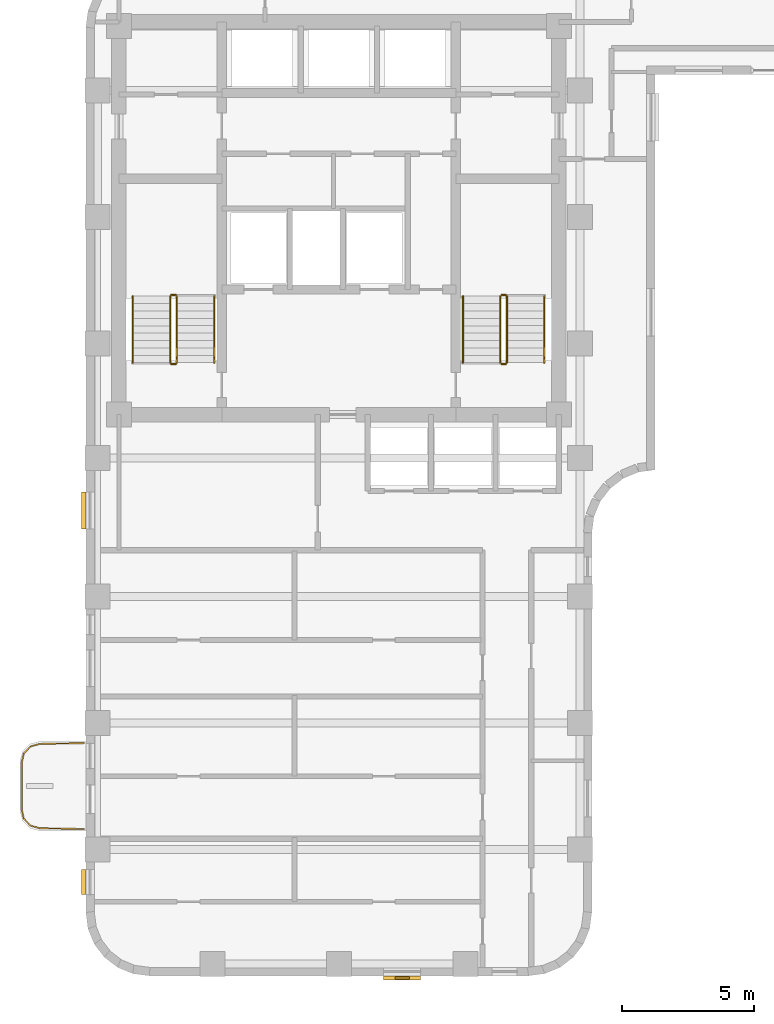
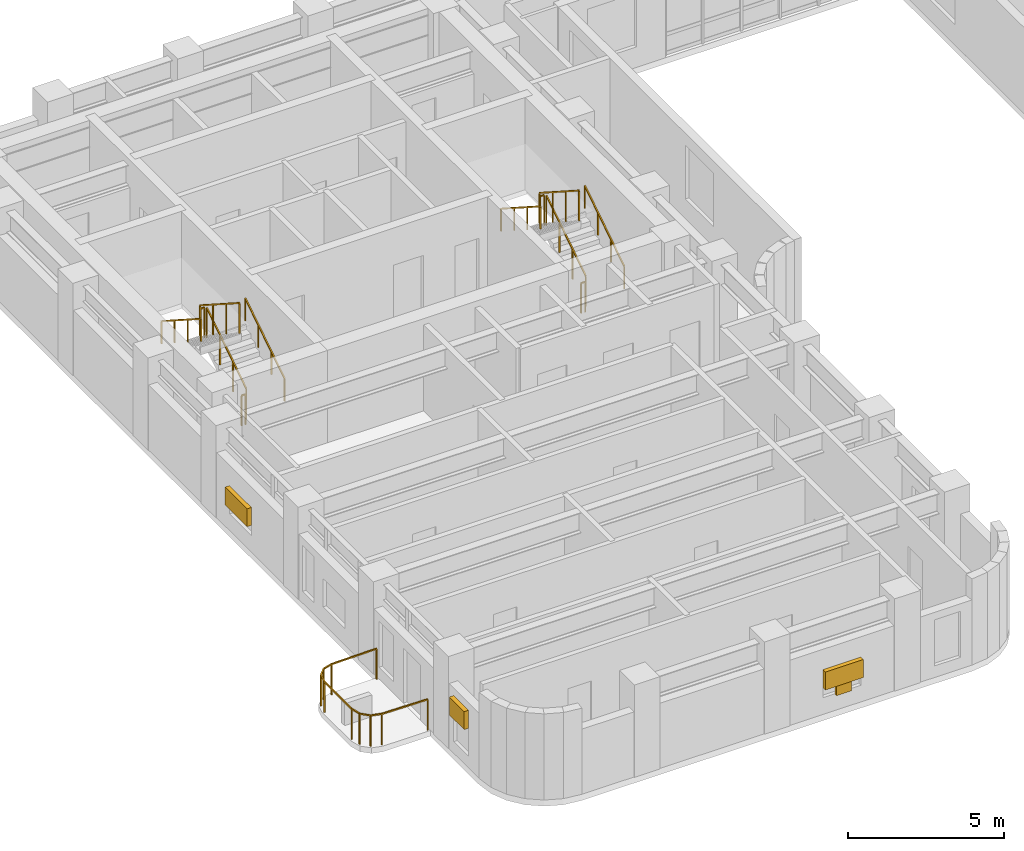
# One storey, part 9 of 11: 13 railings, 4 shading devices.
"""IFC4 building model written with IfcOpenShell, lengths in metres."""

from ifc_helpers import new_model, si_unit, direction, frame, origin, origin_2d, place, context, subcontext, project, spatial, rectangle, extrude, material, type_object, element, save


model = new_model("IFC4")

# Units and contexts
model_context = context("Model", 3, precision=1e-05, world=origin(), true_north=direction((0.0, 1.0)))
body_context = subcontext(model_context, "Body", "Model", "MODEL_VIEW")
ifc_project = project(units=[si_unit("LENGTHUNIT", "METRE"), si_unit("AREAUNIT", "SQUARE_METRE"), si_unit("VOLUMEUNIT", "CUBIC_METRE"), si_unit("PLANEANGLEUNIT", "RADIAN"), si_unit("MASSUNIT", "GRAM", prefix="KILO")], contexts=[model_context])

# Site, building, storey
site_placement = place(None, origin())
site = spatial("IfcSite", under=ifc_project, at=site_placement, CompositionType="ELEMENT")
building_placement = place(site_placement, origin())
building = spatial("IfcBuilding", under=site, at=building_placement, Name="Orvandelia Arch Residences", CompositionType="ELEMENT")
storey_placement = place(building_placement, frame((0.0, 0.0, 161.199951171875)))
storey = spatial("IfcBuildingStorey", under=building, at=storey_placement, Name="L42", CompositionType="ELEMENT", Elevation=161.199951171875)

# Railings
ifc_material_1 = material(Name="Marine-Grade Stainless Steel 316", Category="steel")
railing_type_1 = type_object("IfcRailingType", Name="GRD-BAL-1200", PredefinedType="BALUSTRADE", material=ifc_material_1)
railing_1_placement = place(storey_placement, frame((4.728271484375, 18.430419921875, 0.0)))
element("IfcRailing", 1, at=railing_1_placement, inside=storey, type_object=railing_type_1, Name="Safety Balustrade Guard GRD-L42-BAL-L42-W1-1", PredefinedType="BALUSTRADE", context=body_context, shape_type="SweptSolid", body=[
    extrude(rectangle(XDim=0.048095703125, YDim=0.048095703125, at=origin_2d()), frame((0.0, 0.0, 1.19580078125), z_axis=(-0.999834751713, -0.018178813668, 0.0), x_axis=(0.018178813668, -0.999834751713, 0.0)), (0.0, 0.0, 1.0), 1.6787109375),
    extrude(rectangle(XDim=0.048095703125, YDim=0.048095703125, at=origin_2d()), frame((-1.678466796875, -0.030517578125, 1.19580078125), z_axis=(-0.96348920644, -0.267747173792, 0.0), x_axis=(0.267747173792, -0.96348920644, 0.0)), (0.0, 0.0, 1.0), 0.36572265625),
    extrude(rectangle(XDim=0.048095703125, YDim=0.048095703125, at=origin_2d()), frame((-2.03076171875, -0.12841796875, 1.19580078125), z_axis=(-0.688627404251, -0.725115368831, 0.0), x_axis=(0.725115368831, -0.688627404251, 0.0)), (0.0, 0.0, 1.0), 0.367919921875),
    extrude(rectangle(XDim=0.048095703125, YDim=0.048095703125, at=origin_2d()), frame((-2.2841796875, -0.395263671875, 1.19580078125), z_axis=(-0.220602419982, -0.975363815352, 0.0), x_axis=(0.975363815352, -0.220602419982, 0.0)), (0.0, 0.0, 1.0), 0.373046875),
    extrude(rectangle(XDim=0.048095703125, YDim=0.048095703125, at=origin_2d()), frame((-2.366455078125, -0.759033203125, 1.19580078125), z_axis=(0.0, -1.0, 0.0), x_axis=(1.0, 0.0, 0.0)), (0.0, 0.0, 1.0), 1.74267578125),
    extrude(rectangle(XDim=0.048095703125, YDim=0.048095703125, at=origin_2d()), frame((-2.366455078125, -2.501708984375, 1.19580078125), z_axis=(0.220602419982, -0.975363815352, 0.0), x_axis=(0.975363815352, 0.220602419982, 0.0)), (0.0, 0.0, 1.0), 0.373046875),
    extrude(rectangle(XDim=0.048095703125, YDim=0.048095703125, at=origin_2d()), frame((-2.2841796875, -2.865478515625, 1.19580078125), z_axis=(0.688296224633, -0.725429739642, 0.0), x_axis=(0.725429739642, 0.688296224633, 0.0)), (0.0, 0.0, 1.0), 0.3681640625),
    extrude(rectangle(XDim=0.048095703125, YDim=0.048095703125, at=origin_2d()), frame((-2.03076171875, -3.132568359375, 1.19580078125), z_axis=(0.96348920644, -0.267747173792, 0.0), x_axis=(0.267747173792, 0.96348920644, 0.0)), (0.0, 0.0, 1.0), 0.36572265625),
    extrude(rectangle(XDim=0.048095703125, YDim=0.048095703125, at=origin_2d()), frame((-1.678466796875, -3.23046875, 1.19580078125), z_axis=(0.999837384468, -0.018033430643, 0.0), x_axis=(0.018033430643, 0.999837384468, 0.0)), (0.0, 0.0, 1.0), 1.6787109375),
    extrude(rectangle(XDim=0.0419921875, YDim=0.0419921875, at=origin_2d()), origin(), (0.0, 0.0, 1.0), 1.171875),
    extrude(rectangle(XDim=0.0419921875, YDim=0.0419921875, at=origin_2d()), frame((-1.678466796875, -0.030517578125, 0.0)), (0.0, 0.0, 1.0), 1.171875),
    extrude(rectangle(XDim=0.0419921875, YDim=0.0419921875, at=origin_2d()), frame((-2.03076171875, -0.12841796875, 0.0)), (0.0, 0.0, 1.0), 1.171875),
    extrude(rectangle(XDim=0.0419921875, YDim=0.0419921875, at=origin_2d()), frame((-2.2841796875, -0.395263671875, 0.0)), (0.0, 0.0, 1.0), 1.171875),
    extrude(rectangle(XDim=0.0419921875, YDim=0.0419921875, at=origin_2d()), frame((-2.366455078125, -0.759033203125, 0.0)), (0.0, 0.0, 1.0), 1.171875),
    extrude(rectangle(XDim=0.0419921875, YDim=0.0419921875, at=origin_2d()), frame((-2.366455078125, -2.501708984375, 0.0)), (0.0, 0.0, 1.0), 1.171875),
    extrude(rectangle(XDim=0.0419921875, YDim=0.0419921875, at=origin_2d()), frame((-2.2841796875, -2.865478515625, 0.0)), (0.0, 0.0, 1.0), 1.171875),
    extrude(rectangle(XDim=0.0419921875, YDim=0.0419921875, at=origin_2d()), frame((-2.03076171875, -3.132568359375, 0.0)), (0.0, 0.0, 1.0), 1.171875),
    extrude(rectangle(XDim=0.0419921875, YDim=0.0419921875, at=origin_2d()), frame((-1.678466796875, -3.23046875, 0.0)), (0.0, 0.0, 1.0), 1.171875),
    extrude(rectangle(XDim=0.0419921875, YDim=0.0419921875, at=origin_2d()), frame((0.0, -3.2607421875, 0.0)), (0.0, 0.0, 1.0), 1.171875),
])
ifc_material_2 = material(Name="Brushed Stainless Steel 304", Category="steel")
railing_type_2 = type_object("IfcRailingType", Name="RL-STAIR-GD1120", PredefinedType="GUARDRAIL", material=ifc_material_2)
railing_2_placement = place(storey_placement, frame((8.25, 32.8701171875, 0.179931640625)))
element("IfcRailing", 2, at=railing_2_placement, inside=storey, type_object=railing_type_2, Name="L42 ST-1 stair guard 1", PredefinedType="GUARDRAIL", context=body_context, shape_type="SweptSolid", body=[
    extrude(rectangle(XDim=0.048095703125, YDim=0.048095703125, at=origin_2d()), frame((0.0, 0.0, 1.17578125), z_axis=(0.0, 0.841138753965, 0.540819375188), x_axis=(-1.0, 0.0, 0.0)), (0.0, 0.0, 1.0), 2.99560546875),
    extrude(rectangle(XDim=0.0419921875, YDim=0.0419921875, at=origin_2d()), origin(), (0.0, 0.0, 1.0), 1.15185546875),
    extrude(rectangle(XDim=0.0419921875, YDim=0.0419921875, at=origin_2d()), frame((0.0, 0.83984375, 0.5400390625)), (0.0, 0.0, 1.0), 1.15185546875),
    extrude(rectangle(XDim=0.0419921875, YDim=0.0419921875, at=origin_2d()), frame((0.0, 1.679931640625, 1.080078125)), (0.0, 0.0, 1.0), 1.15185546875),
    extrude(rectangle(XDim=0.0419921875, YDim=0.0419921875, at=origin_2d()), frame((0.0, 2.519775390625, 1.6201171875)), (0.0, 0.0, 1.0), 1.15185546875),
])
railing_3_placement = place(storey_placement, frame((8.199951171875, 35.43994140625, 1.800048828125)))
element("IfcRailing", 3, at=railing_3_placement, inside=storey, type_object=railing_type_2, Name="L42 ST-1 stair guard 2", PredefinedType="GUARDRAIL", context=body_context, shape_type="SweptSolid", body=[
    extrude(rectangle(XDim=0.048095703125, YDim=0.048095703125, at=origin_2d()), frame((0.0, 0.0, 1.17578125), z_axis=(-1.0, 0.0, 0.0), x_axis=(0.0, -1.0, 0.0)), (0.0, 0.0, 1.0), 0.14990234375),
    extrude(rectangle(XDim=0.0419921875, YDim=0.0419921875, at=origin_2d()), origin(), (0.0, 0.0, 1.0), 1.15185546875),
    extrude(rectangle(XDim=0.0419921875, YDim=0.0419921875, at=origin_2d()), frame((-0.14990234375, 0.0, 0.0)), (0.0, 0.0, 1.0), 1.15185546875),
])
railing_4_placement = place(storey_placement, frame((8.0, 35.389892578125, 1.97998046875)))
element("IfcRailing", 4, at=railing_4_placement, inside=storey, type_object=railing_type_2, Name="L42 ST-1 stair guard 3", PredefinedType="GUARDRAIL", context=body_context, shape_type="SweptSolid", body=[
    extrude(rectangle(XDim=0.048095703125, YDim=0.048095703125, at=origin_2d()), frame((0.0, 0.0, 1.17578125), z_axis=(0.0, -0.841138753965, 0.540819375188), x_axis=(1.0, 0.0, 0.0)), (0.0, 0.0, 1.0), 2.99560546875),
    extrude(rectangle(XDim=0.0419921875, YDim=0.0419921875, at=origin_2d()), origin(), (0.0, 0.0, 1.0), 1.15185546875),
    extrude(rectangle(XDim=0.0419921875, YDim=0.0419921875, at=origin_2d()), frame((0.0, -0.83984375, 0.5400390625)), (0.0, 0.0, 1.0), 1.15185546875),
    extrude(rectangle(XDim=0.0419921875, YDim=0.0419921875, at=origin_2d()), frame((0.0, -1.679931640625, 1.080078125)), (0.0, 0.0, 1.0), 1.15185546875),
    extrude(rectangle(XDim=0.0419921875, YDim=0.0419921875, at=origin_2d()), frame((0.0, -2.519775390625, 1.6201171875)), (0.0, 0.0, 1.0), 1.15185546875),
])
railing_5_placement = place(storey_placement, frame((8.199951171875, 32.820068359375, 0.0)))
element("IfcRailing", 5, at=railing_5_placement, inside=storey, type_object=railing_type_2, Name="L42 ST-1 stair guard 4", PredefinedType="GUARDRAIL", context=body_context, shape_type="SweptSolid", body=[
    extrude(rectangle(XDim=0.048095703125, YDim=0.048095703125, at=origin_2d()), frame((0.0, 0.0, 1.17578125), z_axis=(-1.0, 0.0, 0.0), x_axis=(0.0, -1.0, 0.0)), (0.0, 0.0, 1.0), 0.14990234375),
    extrude(rectangle(XDim=0.0419921875, YDim=0.0419921875, at=origin_2d()), origin(), (0.0, 0.0, 1.0), 1.15185546875),
    extrude(rectangle(XDim=0.0419921875, YDim=0.0419921875, at=origin_2d()), frame((-0.14990234375, 0.0, 0.0)), (0.0, 0.0, 1.0), 1.15185546875),
])
railing_6_placement = place(storey_placement, frame((20.780029296875, 32.8701171875, 0.179931640625)))
element("IfcRailing", 6, at=railing_6_placement, inside=storey, type_object=railing_type_2, Name="L42 ST-2 stair guard 1", PredefinedType="GUARDRAIL", context=body_context, shape_type="SweptSolid", body=[
    extrude(rectangle(XDim=0.048095703125, YDim=0.048095703125, at=origin_2d()), frame((0.0, 0.0, 1.17578125), z_axis=(0.0, 0.841138753965, 0.540819375188), x_axis=(-1.0, 0.0, 0.0)), (0.0, 0.0, 1.0), 2.99560546875),
    extrude(rectangle(XDim=0.0419921875, YDim=0.0419921875, at=origin_2d()), origin(), (0.0, 0.0, 1.0), 1.15185546875),
    extrude(rectangle(XDim=0.0419921875, YDim=0.0419921875, at=origin_2d()), frame((0.0, 0.83984375, 0.5400390625)), (0.0, 0.0, 1.0), 1.15185546875),
    extrude(rectangle(XDim=0.0419921875, YDim=0.0419921875, at=origin_2d()), frame((0.0, 1.679931640625, 1.080078125)), (0.0, 0.0, 1.0), 1.15185546875),
    extrude(rectangle(XDim=0.0419921875, YDim=0.0419921875, at=origin_2d()), frame((0.0, 2.519775390625, 1.6201171875)), (0.0, 0.0, 1.0), 1.15185546875),
])
railing_7_placement = place(storey_placement, frame((20.72998046875, 35.43994140625, 1.800048828125)))
element("IfcRailing", 7, at=railing_7_placement, inside=storey, type_object=railing_type_2, Name="L42 ST-2 stair guard 2", PredefinedType="GUARDRAIL", context=body_context, shape_type="SweptSolid", body=[
    extrude(rectangle(XDim=0.048095703125, YDim=0.048095703125, at=origin_2d()), frame((0.0, 0.0, 1.17578125), z_axis=(-1.0, 0.0, 0.0), x_axis=(0.0, -1.0, 0.0)), (0.0, 0.0, 1.0), 0.14990234375),
    extrude(rectangle(XDim=0.0419921875, YDim=0.0419921875, at=origin_2d()), origin(), (0.0, 0.0, 1.0), 1.15185546875),
    extrude(rectangle(XDim=0.0419921875, YDim=0.0419921875, at=origin_2d()), frame((-0.14990234375, 0.0, 0.0)), (0.0, 0.0, 1.0), 1.15185546875),
])
railing_8_placement = place(storey_placement, frame((20.530029296875, 35.389892578125, 1.97998046875)))
element("IfcRailing", 8, at=railing_8_placement, inside=storey, type_object=railing_type_2, Name="L42 ST-2 stair guard 3", PredefinedType="GUARDRAIL", context=body_context, shape_type="SweptSolid", body=[
    extrude(rectangle(XDim=0.048095703125, YDim=0.048095703125, at=origin_2d()), frame((0.0, 0.0, 1.17578125), z_axis=(0.0, -0.841138753965, 0.540819375188), x_axis=(1.0, 0.0, 0.0)), (0.0, 0.0, 1.0), 2.99560546875),
    extrude(rectangle(XDim=0.0419921875, YDim=0.0419921875, at=origin_2d()), origin(), (0.0, 0.0, 1.0), 1.15185546875),
    extrude(rectangle(XDim=0.0419921875, YDim=0.0419921875, at=origin_2d()), frame((0.0, -0.83984375, 0.5400390625)), (0.0, 0.0, 1.0), 1.15185546875),
    extrude(rectangle(XDim=0.0419921875, YDim=0.0419921875, at=origin_2d()), frame((0.0, -1.679931640625, 1.080078125)), (0.0, 0.0, 1.0), 1.15185546875),
    extrude(rectangle(XDim=0.0419921875, YDim=0.0419921875, at=origin_2d()), frame((0.0, -2.519775390625, 1.6201171875)), (0.0, 0.0, 1.0), 1.15185546875),
])
railing_9_placement = place(storey_placement, frame((20.72998046875, 32.820068359375, 0.0)))
element("IfcRailing", 9, at=railing_9_placement, inside=storey, type_object=railing_type_2, Name="L42 ST-2 stair guard 4", PredefinedType="GUARDRAIL", context=body_context, shape_type="SweptSolid", body=[
    extrude(rectangle(XDim=0.048095703125, YDim=0.048095703125, at=origin_2d()), frame((0.0, 0.0, 1.17578125), z_axis=(-1.0, 0.0, 0.0), x_axis=(0.0, -1.0, 0.0)), (0.0, 0.0, 1.0), 0.14990234375),
    extrude(rectangle(XDim=0.0419921875, YDim=0.0419921875, at=origin_2d()), origin(), (0.0, 0.0, 1.0), 1.15185546875),
    extrude(rectangle(XDim=0.0419921875, YDim=0.0419921875, at=origin_2d()), frame((-0.14990234375, 0.0, 0.0)), (0.0, 0.0, 1.0), 1.15185546875),
])
railing_type_3 = type_object("IfcRailingType", Name="RL-STAIR-HR920", PredefinedType="HANDRAIL", material=ifc_material_2)
railing_10_placement = place(storey_placement, frame((9.669921875, 32.8701171875, 0.360107421875)))
element("IfcRailing", 10, at=railing_10_placement, inside=storey, type_object=railing_type_3, Name="L42 ST-1 stair handrail 1", PredefinedType="HANDRAIL", context=body_context, shape_type="SweptSolid", body=[
    extrude(rectangle(XDim=0.048095703125, YDim=0.048095703125, at=origin_2d()), frame((0.0, 0.0, 0.8759765625), z_axis=(0.0, 0.841175827307, 0.540761710511), x_axis=(-1.0, 0.0, 0.0)), (0.0, 0.0, 1.0), 2.99560546875),
    extrude(rectangle(XDim=0.0419921875, YDim=0.0419921875, at=origin_2d()), origin(), (0.0, 0.0, 1.0), 0.851806640625),
    extrude(rectangle(XDim=0.0419921875, YDim=0.0419921875, at=origin_2d()), frame((0.0, 0.83984375, 0.5400390625)), (0.0, 0.0, 1.0), 0.851806640625),
    extrude(rectangle(XDim=0.0419921875, YDim=0.0419921875, at=origin_2d()), frame((0.0, 1.679931640625, 1.079833984375)), (0.0, 0.0, 1.0), 0.851806640625),
    extrude(rectangle(XDim=0.0419921875, YDim=0.0419921875, at=origin_2d()), frame((0.0, 2.519775390625, 1.619873046875)), (0.0, 0.0, 1.0), 0.851806640625),
])
railing_11_placement = place(storey_placement, frame((6.580078125, 35.389892578125, 2.16015625)))
element("IfcRailing", 11, at=railing_11_placement, inside=storey, type_object=railing_type_3, Name="L42 ST-1 stair handrail 2", PredefinedType="HANDRAIL", context=body_context, shape_type="SweptSolid", body=[
    extrude(rectangle(XDim=0.048095703125, YDim=0.048095703125, at=origin_2d()), frame((0.0, 0.0, 0.8759765625), z_axis=(0.0, -0.841175827307, 0.540761710511), x_axis=(1.0, 0.0, 0.0)), (0.0, 0.0, 1.0), 2.99560546875),
    extrude(rectangle(XDim=0.0419921875, YDim=0.0419921875, at=origin_2d()), origin(), (0.0, 0.0, 1.0), 0.851806640625),
    extrude(rectangle(XDim=0.0419921875, YDim=0.0419921875, at=origin_2d()), frame((0.0, -0.83984375, 0.5400390625)), (0.0, 0.0, 1.0), 0.851806640625),
    extrude(rectangle(XDim=0.0419921875, YDim=0.0419921875, at=origin_2d()), frame((0.0, -1.679931640625, 1.079833984375)), (0.0, 0.0, 1.0), 0.851806640625),
    extrude(rectangle(XDim=0.0419921875, YDim=0.0419921875, at=origin_2d()), frame((0.0, -2.519775390625, 1.619873046875)), (0.0, 0.0, 1.0), 0.851806640625),
])
railing_12_placement = place(storey_placement, frame((22.199951171875, 32.8701171875, 0.360107421875)))
element("IfcRailing", 12, at=railing_12_placement, inside=storey, type_object=railing_type_3, Name="L42 ST-2 stair handrail 1", PredefinedType="HANDRAIL", context=body_context, shape_type="SweptSolid", body=[
    extrude(rectangle(XDim=0.048095703125, YDim=0.048095703125, at=origin_2d()), frame((0.0, 0.0, 0.8759765625), z_axis=(0.0, 0.841175827307, 0.540761710511), x_axis=(-1.0, 0.0, 0.0)), (0.0, 0.0, 1.0), 2.99560546875),
    extrude(rectangle(XDim=0.0419921875, YDim=0.0419921875, at=origin_2d()), origin(), (0.0, 0.0, 1.0), 0.851806640625),
    extrude(rectangle(XDim=0.0419921875, YDim=0.0419921875, at=origin_2d()), frame((0.0, 0.83984375, 0.5400390625)), (0.0, 0.0, 1.0), 0.851806640625),
    extrude(rectangle(XDim=0.0419921875, YDim=0.0419921875, at=origin_2d()), frame((0.0, 1.679931640625, 1.079833984375)), (0.0, 0.0, 1.0), 0.851806640625),
    extrude(rectangle(XDim=0.0419921875, YDim=0.0419921875, at=origin_2d()), frame((0.0, 2.519775390625, 1.619873046875)), (0.0, 0.0, 1.0), 0.851806640625),
])
railing_13_placement = place(storey_placement, frame((19.110107421875, 35.389892578125, 2.16015625)))
element("IfcRailing", 13, at=railing_13_placement, inside=storey, type_object=railing_type_3, Name="L42 ST-2 stair handrail 2", PredefinedType="HANDRAIL", context=body_context, shape_type="SweptSolid", body=[
    extrude(rectangle(XDim=0.048095703125, YDim=0.048095703125, at=origin_2d()), frame((0.0, 0.0, 0.8759765625), z_axis=(0.0, -0.841175827307, 0.540761710511), x_axis=(1.0, 0.0, 0.0)), (0.0, 0.0, 1.0), 2.99560546875),
    extrude(rectangle(XDim=0.0419921875, YDim=0.0419921875, at=origin_2d()), origin(), (0.0, 0.0, 1.0), 0.851806640625),
    extrude(rectangle(XDim=0.0419921875, YDim=0.0419921875, at=origin_2d()), frame((0.0, -0.83984375, 0.5400390625)), (0.0, 0.0, 1.0), 0.851806640625),
    extrude(rectangle(XDim=0.0419921875, YDim=0.0419921875, at=origin_2d()), frame((0.0, -1.679931640625, 1.079833984375)), (0.0, 0.0, 1.0), 0.851806640625),
    extrude(rectangle(XDim=0.0419921875, YDim=0.0419921875, at=origin_2d()), frame((0.0, -2.519775390625, 1.619873046875)), (0.0, 0.0, 1.0), 0.851806640625),
])

# Shading devices
ifc_material_3 = material(Name="Anodised Champagne-Bronze Extruded Aluminium", Category="aluminium")
shading_device_type_1 = type_object("IfcShadingDeviceType", Name="SHD-JALOUSIE-SCREEN", PredefinedType="JALOUSIE", material=ifc_material_3)
shading_device_1_placement = place(storey_placement, frame((16.800048828125, 9.52001953125, 1.05029296875), z_axis=(0.0, 0.0, 1.0), x_axis=(-1.0, 0.0, 0.0)))
element("IfcShadingDevice", 14, at=shading_device_1_placement, inside=storey, type_object=shading_device_type_1, Name="Bronze Jalousie Sun-Shade L42-006", PredefinedType="JALOUSIE", context=body_context, shape_type="SweptSolid", body=[
    extrude(rectangle(XDim=1.39990234375, YDim=0.159912109375, at=origin_2d()), origin(), (0.0, 0.0, 1.0), 0.699951171875),
])
shading_device_2_placement = place(storey_placement, frame((4.719970703125, 13.157470703125, 1.55029296875), z_axis=(0.0, 0.0, 1.0), x_axis=(0.0, 1.0, 0.0)))
element("IfcShadingDevice", 15, at=shading_device_2_placement, inside=storey, type_object=shading_device_type_1, Name="Bronze Jalousie Sun-Shade L42-007", PredefinedType="JALOUSIE", context=body_context, shape_type="SweptSolid", body=[
    extrude(rectangle(XDim=0.949951171875, YDim=0.159912109375, at=origin_2d()), origin(), (0.0, 0.0, 1.0), 0.699951171875),
])
shading_device_3_placement = place(storey_placement, frame((4.719970703125, 27.257568359375, 1.05029296875), z_axis=(0.0, 0.0, 1.0), x_axis=(0.0, 1.0, 0.0)))
element("IfcShadingDevice", 16, at=shading_device_3_placement, inside=storey, type_object=shading_device_type_1, Name="Bronze Jalousie Sun-Shade L42-008", PredefinedType="JALOUSIE", context=body_context, shape_type="SweptSolid", body=[
    extrude(rectangle(XDim=1.39990234375, YDim=0.159912109375, at=origin_2d()), origin(), (0.0, 0.0, 1.0), 0.699951171875),
])
ifc_material_4 = material(Name="Marine-Grade Perforated Aluminium Storm Shutter", Category="aluminium")
shading_device_type_2 = type_object("IfcShadingDeviceType", Name="SHD-STORM-SHUTTER", PredefinedType="SHUTTER", material=ifc_material_4)
shading_device_4_placement = place(storey_placement, frame((16.800048828125, 9.52001953125, 0.64990234375), z_axis=(0.0, 0.0, 1.0), x_axis=(-1.0, 0.0, 0.0)))
element("IfcShadingDevice", 17, at=shading_device_4_placement, inside=storey, type_object=shading_device_type_2, Name="Operable Typhoon Storm Shutter L42-006", PredefinedType="SHUTTER", context=body_context, shape_type="SweptSolid", body=[
    extrude(rectangle(XDim=0.550048828125, YDim=0.080078125, at=origin_2d()), origin(), (0.0, 0.0, 1.0), 1.10009765625),
])

save(model, "model.ifc")
